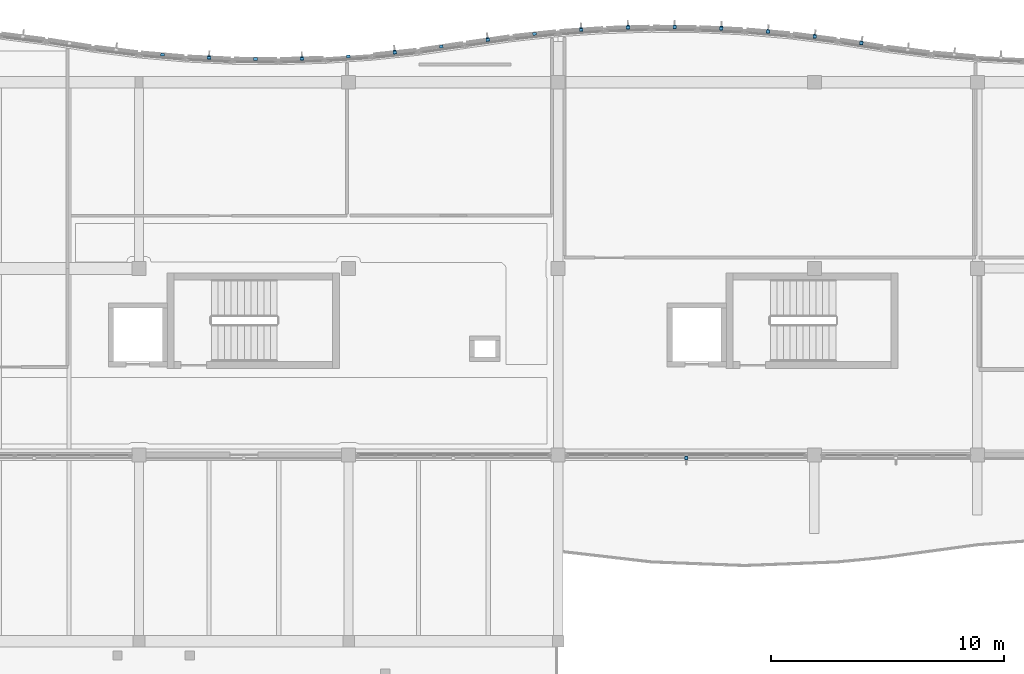
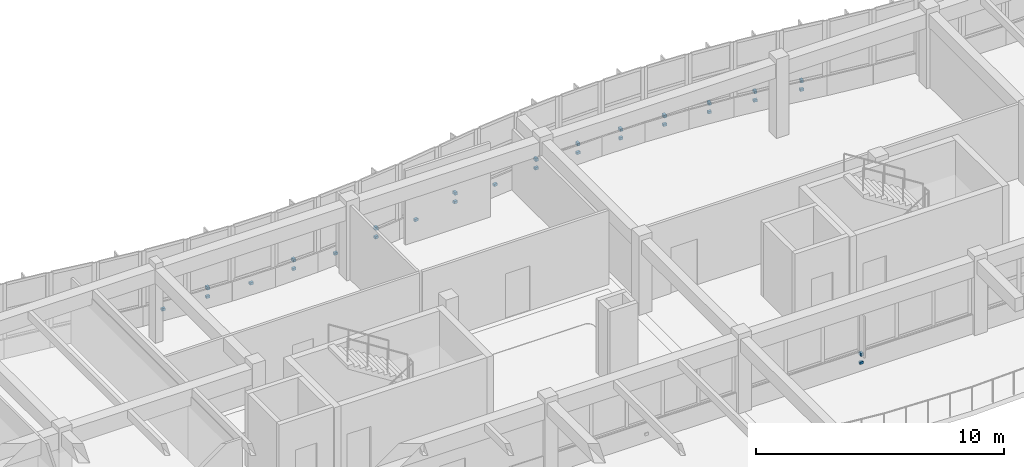
# One storey, part 73 of 89: 29 discrete accessories.
"""IFC4 building model written with IfcOpenShell, lengths in metres."""

import ifcopenshell
import ifcopenshell.guid

model = None  # the IFC model being written
_history = None  # IfcOwnerHistory: only IFC2X3 demands one
_inside = {}  # id of a spatial element -> (the spatial element, [elements in it])
_under = {}  # id of a project, library or spatial element -> (it, [spatial elements below it])
_declared = {}  # id of a project -> (the project, [libraries it declares])
_typed = {}  # id of a type object -> (the type object, [elements of that type])
_made_of = {}  # id of a material, layer set ... -> (it, [elements and type objects made of it])


def new_model(schema):
    """Start an empty IFC model of exactly this schema.

    Asked for "IFC4X3", IfcOpenShell would pick the latest addendum, in which some entities
    have other attributes; the version numbers below select the first issue.
    IFC2X3 requires an IfcOwnerHistory on every rooted entity: one is made here for all.
    """
    global model, _history
    if schema == "IFC4X3":
        model = ifcopenshell.file(schema_version=(4, 3, 0, 0))
    else:
        model = ifcopenshell.file(schema=schema)
    _inside.clear()
    _under.clear()
    _declared.clear()
    _typed.clear()
    _made_of.clear()
    _history = None
    if model.schema == "IFC2X3":
        org = make("IfcOrganization", Name="unknown")
        user = make(
            "IfcPersonAndOrganization",
            ThePerson=make("IfcPerson", FamilyName="unknown"),
            TheOrganization=org,
        )
        app = make(
            "IfcApplication",
            ApplicationDeveloper=org,
            Version="unknown",
            ApplicationFullName="unknown",
            ApplicationIdentifier="unknown",
        )
        _history = make(
            "IfcOwnerHistory",
            OwningUser=user,
            OwningApplication=app,
            ChangeAction="ADDED",
            CreationDate=0,
        )
    return model


def make(cls, **values):
    """One entity of the class cls with the attributes given. An attribute that is None is left unset."""
    return model.create_entity(
        cls, **{name: value for name, value in values.items() if value is not None}
    )


def rooted(cls, **values):
    """An entity with a GlobalId (a new one), such as an element, a storey or a relation."""
    return make(cls, GlobalId=ifcopenshell.guid.new(), OwnerHistory=_history, **values)


def si_unit(unit_type, name, prefix=None):
    """IfcSIUnit, for example si_unit("LENGTHUNIT", "METRE", prefix="MILLI")."""
    return make("IfcSIUnit", UnitType=unit_type, Prefix=prefix, Name=name)


def assignment(units):
    """IfcUnitAssignment: the units of a project."""
    return None if units is None else make("IfcUnitAssignment", Units=units)


def point(xyz):
    """IfcCartesianPoint."""
    return None if xyz is None else make("IfcCartesianPoint", Coordinates=xyz)


def direction(xyz):
    """IfcDirection."""
    return None if xyz is None else make("IfcDirection", DirectionRatios=xyz)


def frame(location, z_axis=None, x_axis=None):
    """IfcAxis2Placement3D, a coordinate frame: its origin and axes. An axis left out is left unset."""
    return make(
        "IfcAxis2Placement3D",
        Location=point(location),
        Axis=direction(z_axis),
        RefDirection=direction(x_axis),
    )


def frame_2d(location, x_axis=None):
    """IfcAxis2Placement2D, a coordinate frame in the plane: its origin and x axis."""
    return make(
        "IfcAxis2Placement2D", Location=point(location), RefDirection=direction(x_axis)
    )


def origin():
    """The frame at (0, 0, 0) with its axes left unset."""
    return frame((0.0, 0.0, 0.0))


def origin_2d():
    """The frame at (0, 0) in the plane with its x axis left unset."""
    return frame_2d((0.0, 0.0))


def place(relative_to, where):
    """IfcLocalPlacement: puts the frame where relative to a parent placement (None: the world)."""
    return make(
        "IfcLocalPlacement", PlacementRelTo=relative_to, RelativePlacement=where
    )


def context(
    kind, dimensions, precision=None, world=None, true_north=None, identifier=None
):
    """IfcGeometricRepresentationContext, for example the 3D "Model" context."""
    return make(
        "IfcGeometricRepresentationContext",
        ContextIdentifier=identifier,
        ContextType=kind,
        CoordinateSpaceDimension=dimensions,
        Precision=precision,
        WorldCoordinateSystem=world,
        TrueNorth=true_north,
    )


def subcontext(parent, identifier, kind, view, scale=None):
    """IfcGeometricRepresentationSubContext, for example "Body" below "Model"."""
    return make(
        "IfcGeometricRepresentationSubContext",
        ContextIdentifier=identifier,
        ContextType=kind,
        ParentContext=parent,
        TargetScale=scale,
        TargetView=view,
    )


def project(units=None, contexts=None):
    """IfcProject with its units and contexts."""
    return rooted(
        "IfcProject",
        Name="project",
        RepresentationContexts=contexts,
        UnitsInContext=assignment(units),
    )


def spatial(cls, under=None, at=None, **own):
    """A site, building, storey or space (cls), placed at a placement, below another one or the project."""
    s = rooted(cls, ObjectPlacement=at, **own)
    if under is not None:
        _under.setdefault(under.id(), (under, []))[1].append(s)
    return s


def profile(cls, at=None, kind="AREA", **sizes):
    """A parametric profile (cls). Its sizes go by their IFC names, for example OverallWidth=200.0."""
    return make(cls, ProfileType=kind, Position=at, **sizes)


def rectangle(**sizes):
    """IfcRectangleProfileDef."""
    return profile("IfcRectangleProfileDef", **sizes)


def extrude(swept, where, along, depth):
    """IfcExtrudedAreaSolid: the profile swept, set in the frame where, extruded along a direction by depth."""
    return make(
        "IfcExtrudedAreaSolid",
        SweptArea=swept,
        Position=where,
        ExtrudedDirection=direction(along),
        Depth=depth,
    )


def shape(context_of_items, identifier, shape_type, items):
    """IfcShapeRepresentation: the items that make up one representation, for example the "Body"."""
    return make(
        "IfcShapeRepresentation",
        ContextOfItems=context_of_items,
        RepresentationIdentifier=identifier,
        RepresentationType=shape_type,
        Items=items,
    )


def material(Name=None, Category=None):
    """IfcMaterial."""
    return make("IfcMaterial", Name=Name, Category=Category)


def made_of(thing, what):
    """Note that an element or type object is made of a material, layer set ...; save() writes the relation."""
    if what is not None:
        _made_of.setdefault(what.id(), (what, []))[1].append(thing)
    return thing


def type_object(cls, material=None, **own):
    """A type object (cls), such as IfcWallType, which elements share."""
    return made_of(rooted(cls, **own), material)


def element(
    cls,
    number,
    at=None,
    inside=None,
    cuts=None,
    type_object=None,
    material=None,
    context=None,
    identifier="Body",
    shape_type=None,
    held_by="IfcProductDefinitionShape",
    body=None,
    shapes=None,
    **own,
):
    """One element of the class cls, such as IfcWall. Its Tag is "e" and its number.

    at: its placement. inside: the storey or other place that contains it. cuts: it is an
    opening in that element (IfcRelVoidsElement). A single representation is given by context,
    identifier, shape_type and body (its items); several are given by shapes. held_by: the class
    of the entity that holds the representations. save() writes the other relations.
    """
    e = rooted(cls, Tag="e%d" % number, ObjectPlacement=at, **own)
    if body is not None:
        shapes = [shape(context, identifier, shape_type, body)]
    if shapes is not None:
        e.Representation = make(held_by, Representations=shapes)
    if inside is not None:
        _inside.setdefault(inside.id(), (inside, []))[1].append(e)
    if cuts is not None:
        rooted(
            "IfcRelVoidsElement", RelatingBuildingElement=cuts, RelatedOpeningElement=e
        )
    if type_object is not None:
        _typed.setdefault(type_object.id(), (type_object, []))[1].append(e)
    return made_of(e, material)


def aggregate(whole, parts):
    """IfcRelAggregates: a whole, such as a stair, and the parts it consists of."""
    return rooted("IfcRelAggregates", RelatingObject=whole, RelatedObjects=parts)


def save(model, path):
    """Write the relations noted so far, then the file.

    IfcRelAggregates (storeys below a building ...), IfcRelContainedInSpatialStructure (elements
    in a storey), IfcRelDefinesByType, IfcRelAssociatesMaterial and IfcRelDeclares: one each for
    every whole, place, type object, material and project.
    """
    for whole, parts in _under.values():
        aggregate(whole, parts)
    for where, things in _inside.values():
        rooted(
            "IfcRelContainedInSpatialStructure",
            RelatedElements=things,
            RelatingStructure=where,
        )
    for kind, things in _typed.values():
        rooted("IfcRelDefinesByType", RelatedObjects=things, RelatingType=kind)
    for what, things in _made_of.values():
        rooted("IfcRelAssociatesMaterial", RelatedObjects=things, RelatingMaterial=what)
    for by, libraries in _declared.values():
        rooted("IfcRelDeclares", RelatingContext=by, RelatedDefinitions=libraries)
    model.write(path)


model = new_model("IFC4")

# Units and contexts
model_context = context("Model", 3, precision=1e-05, world=origin(), true_north=direction((0.0, 1.0)))
body_context = subcontext(model_context, "Body", "Model", "MODEL_VIEW")
ifc_project = project(units=[si_unit("LENGTHUNIT", "METRE"), si_unit("AREAUNIT", "SQUARE_METRE"), si_unit("VOLUMEUNIT", "CUBIC_METRE"), si_unit("PLANEANGLEUNIT", "RADIAN"), si_unit("MASSUNIT", "GRAM", prefix="KILO")], contexts=[model_context])

# Site, building, storey
site_placement = place(None, origin())
site = spatial("IfcSite", under=ifc_project, at=site_placement, CompositionType="ELEMENT")
building_placement = place(site_placement, origin())
building = spatial("IfcBuilding", under=site, at=building_placement, Name="Tonlespit Floodbar School", CompositionType="ELEMENT")
storey_placement = place(building_placement, frame((0.0, 0.0, 4.5)))
storey = spatial("IfcBuildingStorey", under=building, at=storey_placement, Name="L01", CompositionType="ELEMENT", Elevation=4.5)

# Discrete accessories
ifc_material = material(Name="Galvanised Steel", Category="steel")
discrete_accessory_type = type_object("IfcDiscreteAccessoryType", Name="Bracket_Facade_S355", PredefinedType="BRACKET", material=ifc_material)
for number, where, z_axis, x_axis, name in (
    (1, (99.01123046875, 121.184814453125, 0.35498046875), (0.0, 0.0, 1.0), (0.996245486492, -0.086573267488, 0.0), "L01 white band support bracket 0075"),
    (2, (101.00634765625, 121.05029296875, 0.35498046875), (0.0, 0.0, 1.0), (0.998842769234, -0.048094930587, 0.0), "L01 white band support bracket 0076"),
):
    element("IfcDiscreteAccessory", number, at=place(storey_placement, frame(where, z_axis=z_axis, x_axis=x_axis)), inside=storey, type_object=discrete_accessory_type, Name=name, PredefinedType="BRACKET", context=body_context, shape_type="SweptSolid", body=[
        extrude(rectangle(XDim=0.159912109375, YDim=0.1201171875, at=origin_2d()), origin(), (0.0, 0.0, 1.0), 0.1201171875),
    ])
discrete_accessory_1_placement = place(storey_placement, frame((101.006591796875, 121.060302734375, 0.7802734375), z_axis=(0.0, 0.0, 1.0), x_axis=(0.998842769234, -0.048094930587, 0.0)))
element("IfcDiscreteAccessory", 3, at=discrete_accessory_1_placement, inside=storey, type_object=discrete_accessory_type, Name="Solar fin support bracket 032", PredefinedType="BRACKET", context=body_context, shape_type="SweptSolid", body=[
    extrude(rectangle(XDim=0.1201171875, YDim=0.179931640625, at=origin_2d()), origin(), (0.0, 0.0, 1.0), 0.139892578125),
])
for number, where, z_axis, x_axis, name in (
    (4, (103.001220703125, 120.99267578125, 0.35498046875), (0.0, 0.0, 1.0), (0.999953926969, -0.009599163462, 0.0), "L01 white band support bracket 0077"),
    (5, (104.996337890625, 121.01171875, 0.35498046875), (0.0, 0.0, 1.0), (0.999584110869, 0.02883756748, 0.0), "L01 white band support bracket 0078"),
):
    element("IfcDiscreteAccessory", number, at=place(storey_placement, frame(where, z_axis=z_axis, x_axis=x_axis)), inside=storey, type_object=discrete_accessory_type, Name=name, PredefinedType="BRACKET", context=body_context, shape_type="SweptSolid", body=[
        extrude(rectangle(XDim=0.159912109375, YDim=0.1201171875, at=origin_2d()), origin(), (0.0, 0.0, 1.0), 0.1201171875),
    ])
discrete_accessory_2_placement = place(storey_placement, frame((104.99609375, 121.021728515625, 0.7802734375), z_axis=(0.0, 0.0, 1.0), x_axis=(0.999584110869, 0.02883756748, 0.0)))
element("IfcDiscreteAccessory", 6, at=discrete_accessory_2_placement, inside=storey, type_object=discrete_accessory_type, Name="Solar fin support bracket 033", PredefinedType="BRACKET", context=body_context, shape_type="SweptSolid", body=[
    extrude(rectangle(XDim=0.1201171875, YDim=0.179931640625, at=origin_2d()), origin(), (0.0, 0.0, 1.0), 0.139892578125),
])
for number, where, z_axis, x_axis, name in (
    (7, (106.9912109375, 121.10791015625, 0.35498046875), (0.0, 0.0, 1.0), (0.997729639049, 0.067346621018, 0.0), "L01 white band support bracket 0079"),
    (8, (108.986328125, 121.28125, 0.35498046875), (0.0, 0.0, 1.0), (0.99439234017, 0.105753835922, 0.0), "L01 white band support bracket 0080"),
):
    element("IfcDiscreteAccessory", number, at=place(storey_placement, frame(where, z_axis=z_axis, x_axis=x_axis)), inside=storey, type_object=discrete_accessory_type, Name=name, PredefinedType="BRACKET", context=body_context, shape_type="SweptSolid", body=[
        extrude(rectangle(XDim=0.159912109375, YDim=0.1201171875, at=origin_2d()), origin(), (0.0, 0.0, 1.0), 0.1201171875),
    ])
discrete_accessory_3_placement = place(storey_placement, frame((108.985107421875, 121.291259765625, 0.7802734375), z_axis=(0.0, 0.0, 1.0), x_axis=(0.99439234017, 0.105753835922, 0.0)))
element("IfcDiscreteAccessory", 9, at=discrete_accessory_3_placement, inside=storey, type_object=discrete_accessory_type, Name="Solar fin support bracket 034", PredefinedType="BRACKET", context=body_context, shape_type="SweptSolid", body=[
    extrude(rectangle(XDim=0.1201171875, YDim=0.179931640625, at=origin_2d()), origin(), (0.0, 0.0, 1.0), 0.139892578125),
])
for number, where, z_axis, x_axis, name in (
    (10, (110.981201171875, 121.53271484375, 0.35498046875), (0.0, 0.0, 1.0), (0.989537627347, 0.144275029245, 0.0), "L01 white band support bracket 0081"),
    (11, (112.981201171875, 121.824462890625, 0.35498046875), (0.0, 0.0, 1.0), (0.989537627347, 0.144275029245, 0.0), "L01 white band support bracket 0082"),
):
    element("IfcDiscreteAccessory", number, at=place(storey_placement, frame(where, z_axis=z_axis, x_axis=x_axis)), inside=storey, type_object=discrete_accessory_type, Name=name, PredefinedType="BRACKET", context=body_context, shape_type="SweptSolid", body=[
        extrude(rectangle(XDim=0.159912109375, YDim=0.1201171875, at=origin_2d()), origin(), (0.0, 0.0, 1.0), 0.1201171875),
    ])
discrete_accessory_4_placement = place(storey_placement, frame((112.979736328125, 121.834228515625, 0.7802734375), z_axis=(0.0, 0.0, 1.0), x_axis=(0.989537627347, 0.144275029245, 0.0)))
element("IfcDiscreteAccessory", 12, at=discrete_accessory_4_placement, inside=storey, type_object=discrete_accessory_type, Name="Solar fin support bracket 035", PredefinedType="BRACKET", context=body_context, shape_type="SweptSolid", body=[
    extrude(rectangle(XDim=0.1201171875, YDim=0.179931640625, at=origin_2d()), origin(), (0.0, 0.0, 1.0), 0.139892578125),
])
for number, where, z_axis, x_axis, name in (
    (13, (114.986328125, 122.0771484375, 0.35498046875), (0.0, 0.0, 1.0), (0.99439234017, 0.105753835922, 0.0), "L01 white band support bracket 0083"),
    (14, (116.9912109375, 122.25146484375, 0.35498046875), (0.0, 0.0, 1.0), (0.997729639049, 0.067346621018, 0.0), "L01 white band support bracket 0627"),
):
    element("IfcDiscreteAccessory", number, at=place(storey_placement, frame(where, z_axis=z_axis, x_axis=x_axis)), inside=storey, type_object=discrete_accessory_type, Name=name, PredefinedType="BRACKET", context=body_context, shape_type="SweptSolid", body=[
        extrude(rectangle(XDim=0.159912109375, YDim=0.1201171875, at=origin_2d()), origin(), (0.0, 0.0, 1.0), 0.1201171875),
    ])
discrete_accessory_5_placement = place(storey_placement, frame((116.990478515625, 122.261474609375, 0.7802734375), z_axis=(0.0, 0.0, 1.0), x_axis=(0.997729639049, 0.067346621018, 0.0)))
element("IfcDiscreteAccessory", 15, at=discrete_accessory_5_placement, inside=storey, type_object=discrete_accessory_type, Name="Solar fin support bracket 230", PredefinedType="BRACKET", context=body_context, shape_type="SweptSolid", body=[
    extrude(rectangle(XDim=0.1201171875, YDim=0.179931640625, at=origin_2d()), origin(), (0.0, 0.0, 1.0), 0.139892578125),
])
discrete_accessory_6_placement = place(storey_placement, frame((118.996337890625, 122.34814453125, 0.35498046875), z_axis=(0.0, 0.0, 1.0), x_axis=(0.999584110869, 0.02883756748, 0.0)))
element("IfcDiscreteAccessory", 16, at=discrete_accessory_6_placement, inside=storey, type_object=discrete_accessory_type, Name="L01 white band support bracket 0628", PredefinedType="BRACKET", context=body_context, shape_type="SweptSolid", body=[
    extrude(rectangle(XDim=0.159912109375, YDim=0.1201171875, at=origin_2d()), origin(), (0.0, 0.0, 1.0), 0.1201171875),
])
discrete_accessory_7_placement = place(storey_placement, frame((118.99609375, 122.358154296875, 0.7802734375), z_axis=(0.0, 0.0, 1.0), x_axis=(0.999584110869, 0.02883756748, 0.0)))
element("IfcDiscreteAccessory", 17, at=discrete_accessory_7_placement, inside=storey, type_object=discrete_accessory_type, Name="Solar fin support bracket 231", PredefinedType="BRACKET", context=body_context, shape_type="SweptSolid", body=[
    extrude(rectangle(XDim=0.1201171875, YDim=0.179931640625, at=origin_2d()), origin(), (0.0, 0.0, 1.0), 0.139892578125),
])
discrete_accessory_8_placement = place(storey_placement, frame((121.001220703125, 122.367431640625, 0.35498046875), z_axis=(0.0, 0.0, 1.0), x_axis=(0.999953926969, -0.009599163462, 0.0)))
element("IfcDiscreteAccessory", 18, at=discrete_accessory_8_placement, inside=storey, type_object=discrete_accessory_type, Name="L01 white band support bracket 0629", PredefinedType="BRACKET", context=body_context, shape_type="SweptSolid", body=[
    extrude(rectangle(XDim=0.159912109375, YDim=0.1201171875, at=origin_2d()), origin(), (0.0, 0.0, 1.0), 0.1201171875),
])
discrete_accessory_9_placement = place(storey_placement, frame((121.001220703125, 122.37744140625, 0.7802734375), z_axis=(0.0, 0.0, 1.0), x_axis=(0.999953926969, -0.009599163462, 0.0)))
element("IfcDiscreteAccessory", 19, at=discrete_accessory_9_placement, inside=storey, type_object=discrete_accessory_type, Name="Solar fin support bracket 232", PredefinedType="BRACKET", context=body_context, shape_type="SweptSolid", body=[
    extrude(rectangle(XDim=0.1201171875, YDim=0.179931640625, at=origin_2d()), origin(), (0.0, 0.0, 1.0), 0.139892578125),
])
discrete_accessory_10_placement = place(storey_placement, frame((123.00634765625, 122.3095703125, 0.35498046875), z_axis=(0.0, 0.0, 1.0), x_axis=(0.998842769234, -0.048094930587, 0.0)))
element("IfcDiscreteAccessory", 20, at=discrete_accessory_10_placement, inside=storey, type_object=discrete_accessory_type, Name="L01 white band support bracket 0630", PredefinedType="BRACKET", context=body_context, shape_type="SweptSolid", body=[
    extrude(rectangle(XDim=0.159912109375, YDim=0.1201171875, at=origin_2d()), origin(), (0.0, 0.0, 1.0), 0.1201171875),
])
discrete_accessory_11_placement = place(storey_placement, frame((123.006591796875, 122.319580078125, 0.7802734375), z_axis=(0.0, 0.0, 1.0), x_axis=(0.998842769234, -0.048094930587, 0.0)))
element("IfcDiscreteAccessory", 21, at=discrete_accessory_11_placement, inside=storey, type_object=discrete_accessory_type, Name="Solar fin support bracket 233", PredefinedType="BRACKET", context=body_context, shape_type="SweptSolid", body=[
    extrude(rectangle(XDim=0.1201171875, YDim=0.179931640625, at=origin_2d()), origin(), (0.0, 0.0, 1.0), 0.139892578125),
])
discrete_accessory_12_placement = place(storey_placement, frame((125.01123046875, 122.174072265625, 0.35498046875), z_axis=(0.0, 0.0, 1.0), x_axis=(0.996245486492, -0.086573267488, 0.0)))
element("IfcDiscreteAccessory", 22, at=discrete_accessory_12_placement, inside=storey, type_object=discrete_accessory_type, Name="L01 white band support bracket 0631", PredefinedType="BRACKET", context=body_context, shape_type="SweptSolid", body=[
    extrude(rectangle(XDim=0.159912109375, YDim=0.1201171875, at=origin_2d()), origin(), (0.0, 0.0, 1.0), 0.1201171875),
])
discrete_accessory_13_placement = place(storey_placement, frame((125.01220703125, 122.18408203125, 0.7802734375), z_axis=(0.0, 0.0, 1.0), x_axis=(0.996245486492, -0.086573267488, 0.0)))
element("IfcDiscreteAccessory", 23, at=discrete_accessory_13_placement, inside=storey, type_object=discrete_accessory_type, Name="Solar fin support bracket 234", PredefinedType="BRACKET", context=body_context, shape_type="SweptSolid", body=[
    extrude(rectangle(XDim=0.1201171875, YDim=0.179931640625, at=origin_2d()), origin(), (0.0, 0.0, 1.0), 0.139892578125),
])
discrete_accessory_14_placement = place(storey_placement, frame((127.016357421875, 121.960693359375, 0.35498046875), z_axis=(0.0, 0.0, 1.0), x_axis=(0.99215533612, -0.125011155539, 0.0)))
element("IfcDiscreteAccessory", 24, at=discrete_accessory_14_placement, inside=storey, type_object=discrete_accessory_type, Name="L01 white band support bracket 0632", PredefinedType="BRACKET", context=body_context, shape_type="SweptSolid", body=[
    extrude(rectangle(XDim=0.159912109375, YDim=0.1201171875, at=origin_2d()), origin(), (0.0, 0.0, 1.0), 0.1201171875),
])
discrete_accessory_15_placement = place(storey_placement, frame((127.017578125, 121.970703125, 0.7802734375), z_axis=(0.0, 0.0, 1.0), x_axis=(0.99215533612, -0.125011155539, 0.0)))
element("IfcDiscreteAccessory", 25, at=discrete_accessory_15_placement, inside=storey, type_object=discrete_accessory_type, Name="Solar fin support bracket 235", PredefinedType="BRACKET", context=body_context, shape_type="SweptSolid", body=[
    extrude(rectangle(XDim=0.1201171875, YDim=0.179931640625, at=origin_2d()), origin(), (0.0, 0.0, 1.0), 0.139892578125),
])
discrete_accessory_16_placement = place(storey_placement, frame((129.02001953125, 121.678466796875, 0.35498046875), z_axis=(0.0, 0.0, 1.0), x_axis=(0.988094768361, -0.153846445322, 0.0)))
element("IfcDiscreteAccessory", 26, at=discrete_accessory_16_placement, inside=storey, type_object=discrete_accessory_type, Name="L01 white band support bracket 0633", PredefinedType="BRACKET", context=body_context, shape_type="SweptSolid", body=[
    extrude(rectangle(XDim=0.159912109375, YDim=0.1201171875, at=origin_2d()), origin(), (0.0, 0.0, 1.0), 0.1201171875),
])
discrete_accessory_17_placement = place(storey_placement, frame((129.021484375, 121.688232421875, 0.7802734375), z_axis=(0.0, 0.0, 1.0), x_axis=(0.988094768361, -0.153846445322, 0.0)))
element("IfcDiscreteAccessory", 27, at=discrete_accessory_17_placement, inside=storey, type_object=discrete_accessory_type, Name="Solar fin support bracket 236", PredefinedType="BRACKET", context=body_context, shape_type="SweptSolid", body=[
    extrude(rectangle(XDim=0.1201171875, YDim=0.179931640625, at=origin_2d()), origin(), (0.0, 0.0, 1.0), 0.139892578125),
])
discrete_accessory_18_placement = place(storey_placement, frame((121.5, 103.8701171875, 0.35498046875), z_axis=(0.0, 0.0, 1.0), x_axis=(-1.0, 0.0, 0.0)))
element("IfcDiscreteAccessory", 28, at=discrete_accessory_18_placement, inside=storey, type_object=discrete_accessory_type, Name="L01 white band support bracket 0660", PredefinedType="BRACKET", context=body_context, shape_type="SweptSolid", body=[
    extrude(rectangle(XDim=0.159912109375, YDim=0.1201171875, at=origin_2d()), origin(), (0.0, 0.0, 1.0), 0.1201171875),
])
discrete_accessory_19_placement = place(storey_placement, frame((121.5, 103.860107421875, 0.7802734375), z_axis=(0.0, 0.0, 1.0), x_axis=(-1.0, 0.0, 0.0)))
element("IfcDiscreteAccessory", 29, at=discrete_accessory_19_placement, inside=storey, type_object=discrete_accessory_type, Name="Solar fin support bracket 262", PredefinedType="BRACKET", context=body_context, shape_type="SweptSolid", body=[
    extrude(rectangle(XDim=0.1201171875, YDim=0.179931640625, at=origin_2d()), origin(), (0.0, 0.0, 1.0), 0.139892578125),
])

save(model, "model.ifc")
